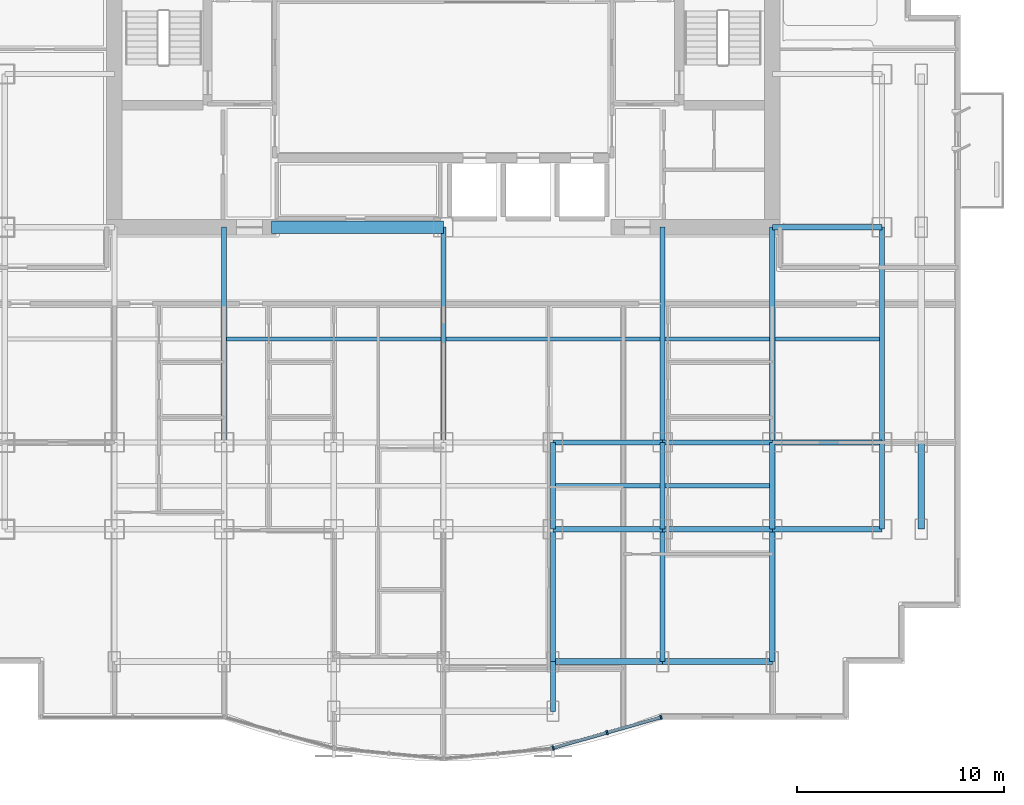
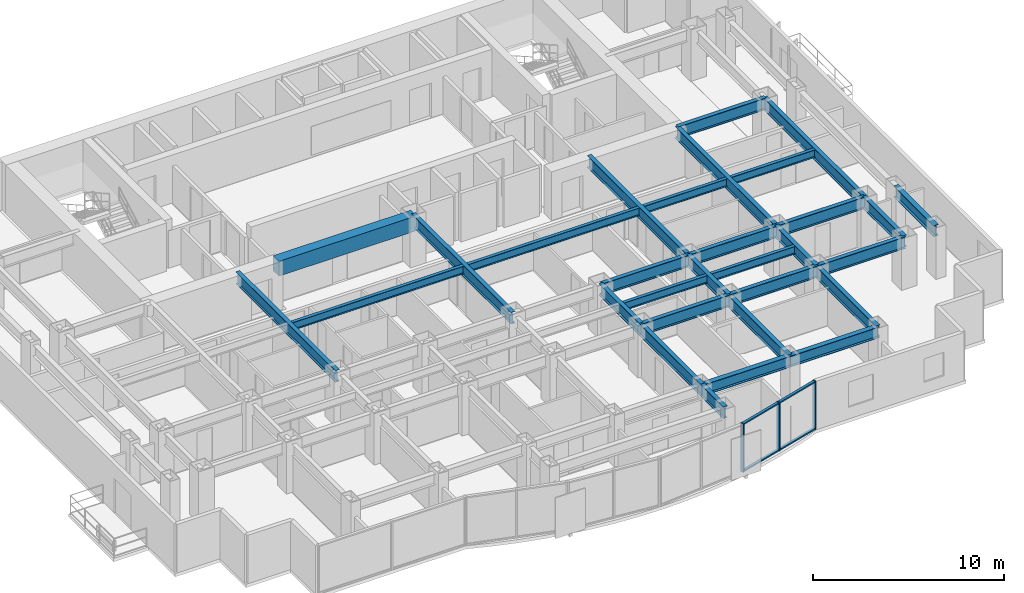
# One storey, part 3 of 10: 30 beams, 7 members, 1 element without a shape of its own.
"""IFC4 building model written with IfcOpenShell, lengths in metres."""

from ifc_helpers import new_model, si_unit, direction, frame, origin, origin_2d, place, context, subcontext, project, spatial, rectangle, i_section, extrude, source, transform, mapped, material, layer, layer_set, material_profile, profile_set, type_object, element, aggregate, save


model = new_model("IFC4")

# Units and contexts
model_context = context("Model", 3, precision=1e-05, world=origin(), true_north=direction((0.0, 1.0)))
body_context = subcontext(model_context, "Body", "Model", "MODEL_VIEW")
ifc_project = project(units=[si_unit("LENGTHUNIT", "METRE"), si_unit("AREAUNIT", "SQUARE_METRE"), si_unit("VOLUMEUNIT", "CUBIC_METRE"), si_unit("PLANEANGLEUNIT", "RADIAN"), si_unit("MASSUNIT", "GRAM", prefix="KILO")], contexts=[model_context])

# Site, building, storey
site_placement = place(None, origin())
site = spatial("IfcSite", under=ifc_project, at=site_placement, CompositionType="ELEMENT")
building_placement = place(site_placement, origin())
building = spatial("IfcBuilding", under=site, at=building_placement, Name="Qianlan Lanfeng Residences", CompositionType="ELEMENT")
storey_placement = place(building_placement, frame((0.0, 0.0, 118.0)))
storey = spatial("IfcBuildingStorey", under=building, at=storey_placement, Name="L32", CompositionType="ELEMENT", Elevation=118.0)

# Beams
ifc_material_1 = material(Name="Steel SN490B", Category="steel")
ifc_material_profile_1 = material_profile(ifc_material_1, i_section(OverallWidth=0.25, OverallDepth=0.75, WebThickness=0.013916015625, FlangeThickness=0.02490234375, at=origin_2d()), Name="H 750x250x14x25")
ifc_profile_set_1 = profile_set([ifc_material_profile_1], Name="Steel SN490B")
beam_type_1 = type_object("IfcBeamType", Name="G-850", PredefinedType="BEAM", material=ifc_profile_set_1)
beam_1_placement = place(storey_placement, frame((31.800048828125, 10.60009765625, 2.715087890625), z_axis=(1.0, 0.0, 0.0), x_axis=(0.0, 1.0, 0.0)))
element("IfcBeam", 1, at=beam_1_placement, inside=storey, type_object=beam_type_1, Name="Structural beam G-850", PredefinedType="BEAM", context=body_context, shape_type="SweptSolid", body=[
    extrude(i_section(OverallWidth=0.25, OverallDepth=0.75, WebThickness=0.013916015625, FlangeThickness=0.02490234375, at=origin_2d()), origin(), (0.0, 0.0, 1.0), 5.300048828125),
])
beam_2_placement = place(storey_placement, frame((37.10009765625, 10.60009765625, 2.715087890625), z_axis=(1.0, 0.0, 0.0), x_axis=(0.0, 1.0, 0.0)))
element("IfcBeam", 2, at=beam_2_placement, inside=storey, type_object=beam_type_1, Name="Structural beam G-850", PredefinedType="BEAM", context=body_context, shape_type="SweptSolid", body=[
    extrude(i_section(OverallWidth=0.25, OverallDepth=0.75, WebThickness=0.013916015625, FlangeThickness=0.02490234375, at=origin_2d()), origin(), (0.0, 0.0, 1.0), 5.2998046875),
])
for number, where, z_axis, x_axis, name in (
    (3, (42.39990234375, 10.60009765625, 2.715087890625), (1.0, 0.0, 0.0), (0.0, 1.0, 0.0), "Structural beam G-850"),
    (4, (31.800048828125, 14.800048828125, 2.715087890625), (1.0, 0.0, 0.0), (0.0, 1.0, 0.0), "Structural beam G-850"),
):
    element("IfcBeam", number, at=place(storey_placement, frame(where, z_axis=z_axis, x_axis=x_axis)), inside=storey, type_object=beam_type_1, Name=name, PredefinedType="BEAM", context=body_context, shape_type="SweptSolid", body=[
        extrude(i_section(OverallWidth=0.25, OverallDepth=0.75, WebThickness=0.013916015625, FlangeThickness=0.02490234375, at=origin_2d()), origin(), (0.0, 0.0, 1.0), 5.300048828125),
    ])
beam_3_placement = place(storey_placement, frame((37.10009765625, 14.800048828125, 2.715087890625), z_axis=(1.0, 0.0, 0.0), x_axis=(0.0, 1.0, 0.0)))
element("IfcBeam", 5, at=beam_3_placement, inside=storey, type_object=beam_type_1, Name="Structural beam G-850", PredefinedType="BEAM", context=body_context, shape_type="SweptSolid", body=[
    extrude(i_section(OverallWidth=0.25, OverallDepth=0.75, WebThickness=0.013916015625, FlangeThickness=0.02490234375, at=origin_2d()), origin(), (0.0, 0.0, 1.0), 5.2998046875),
])
for number, where, z_axis, x_axis, name in (
    (6, (42.39990234375, 14.800048828125, 2.715087890625), (1.0, 0.0, 0.0), (0.0, 1.0, 0.0), "Structural beam G-850"),
    (7, (42.39990234375, 25.199951171875, 2.715087890625), (1.0, 0.0, 0.0), (0.0, 1.0, 0.0), "Structural beam G-850"),
):
    element("IfcBeam", number, at=place(storey_placement, frame(where, z_axis=z_axis, x_axis=x_axis)), inside=storey, type_object=beam_type_1, Name=name, PredefinedType="BEAM", context=body_context, shape_type="SweptSolid", body=[
        extrude(i_section(OverallWidth=0.25, OverallDepth=0.75, WebThickness=0.013916015625, FlangeThickness=0.02490234375, at=origin_2d()), origin(), (0.0, 0.0, 1.0), 5.300048828125),
    ])
for number, where, z_axis, x_axis, name in (
    (8, (15.89990234375, 14.800048828125, 2.715087890625), (0.0, 1.0, 0.0), (-1.0, 0.0, 0.0), "Structural beam G-850"),
    (9, (26.5, 14.800048828125, 2.715087890625), (0.0, 1.0, 0.0), (-1.0, 0.0, 0.0), "Structural beam G-850"),
):
    element("IfcBeam", number, at=place(storey_placement, frame(where, z_axis=z_axis, x_axis=x_axis)), inside=storey, type_object=beam_type_1, Name=name, PredefinedType="BEAM", context=body_context, shape_type="SweptSolid", body=[
        extrude(i_section(OverallWidth=0.25, OverallDepth=0.75, WebThickness=0.013916015625, FlangeThickness=0.02490234375, at=origin_2d()), origin(), (0.0, 0.0, 1.0), 10.39990234375),
    ])
beam_4_placement = place(storey_placement, frame((31.800048828125, 1.800048828125, 2.715087890625), z_axis=(0.0, 1.0, 0.0), x_axis=(-1.0, 0.0, 0.0)))
element("IfcBeam", 10, at=beam_4_placement, inside=storey, type_object=beam_type_1, Name="Structural beam G-850", PredefinedType="BEAM", context=body_context, shape_type="SweptSolid", body=[
    extrude(i_section(OverallWidth=0.25, OverallDepth=0.75, WebThickness=0.013916015625, FlangeThickness=0.02490234375, at=origin_2d()), origin(), (0.0, 0.0, 1.0), 2.39990234375),
])
beam_5_placement = place(storey_placement, frame((31.800048828125, 4.199951171875, 2.715087890625), z_axis=(0.0, 1.0, 0.0), x_axis=(-1.0, 0.0, 0.0)))
element("IfcBeam", 11, at=beam_5_placement, inside=storey, type_object=beam_type_1, Name="Structural beam G-850", PredefinedType="BEAM", context=body_context, shape_type="SweptSolid", body=[
    extrude(i_section(OverallWidth=0.25, OverallDepth=0.75, WebThickness=0.013916015625, FlangeThickness=0.02490234375, at=origin_2d()), origin(), (0.0, 0.0, 1.0), 6.400146484375),
])
beam_6_placement = place(storey_placement, frame((31.800048828125, 10.60009765625, 2.715087890625), z_axis=(0.0, 1.0, 0.0), x_axis=(-1.0, 0.0, 0.0)))
element("IfcBeam", 12, at=beam_6_placement, inside=storey, type_object=beam_type_1, Name="Structural beam G-850", PredefinedType="BEAM", context=body_context, shape_type="SweptSolid", body=[
    extrude(i_section(OverallWidth=0.25, OverallDepth=0.75, WebThickness=0.013916015625, FlangeThickness=0.02490234375, at=origin_2d()), origin(), (0.0, 0.0, 1.0), 4.199951171875),
])
beam_7_placement = place(storey_placement, frame((37.10009765625, 4.199951171875, 2.715087890625), z_axis=(0.0, 1.0, 0.0), x_axis=(-1.0, 0.0, 0.0)))
element("IfcBeam", 13, at=beam_7_placement, inside=storey, type_object=beam_type_1, Name="Structural beam G-850", PredefinedType="BEAM", context=body_context, shape_type="SweptSolid", body=[
    extrude(i_section(OverallWidth=0.25, OverallDepth=0.75, WebThickness=0.013916015625, FlangeThickness=0.02490234375, at=origin_2d()), origin(), (0.0, 0.0, 1.0), 6.400146484375),
])
beam_8_placement = place(storey_placement, frame((37.10009765625, 10.60009765625, 2.715087890625), z_axis=(0.0, 1.0, 0.0), x_axis=(-1.0, 0.0, 0.0)))
element("IfcBeam", 14, at=beam_8_placement, inside=storey, type_object=beam_type_1, Name="Structural beam G-850", PredefinedType="BEAM", context=body_context, shape_type="SweptSolid", body=[
    extrude(i_section(OverallWidth=0.25, OverallDepth=0.75, WebThickness=0.013916015625, FlangeThickness=0.02490234375, at=origin_2d()), origin(), (0.0, 0.0, 1.0), 4.199951171875),
])
beam_9_placement = place(storey_placement, frame((37.10009765625, 14.800048828125, 2.715087890625), z_axis=(0.0, 1.0, 0.0), x_axis=(-1.0, 0.0, 0.0)))
element("IfcBeam", 15, at=beam_9_placement, inside=storey, type_object=beam_type_1, Name="Structural beam G-850", PredefinedType="BEAM", context=body_context, shape_type="SweptSolid", body=[
    extrude(i_section(OverallWidth=0.25, OverallDepth=0.75, WebThickness=0.013916015625, FlangeThickness=0.02490234375, at=origin_2d()), origin(), (0.0, 0.0, 1.0), 10.39990234375),
])
beam_10_placement = place(storey_placement, frame((42.39990234375, 4.199951171875, 2.715087890625), z_axis=(0.0, 1.0, 0.0), x_axis=(-1.0, 0.0, 0.0)))
element("IfcBeam", 16, at=beam_10_placement, inside=storey, type_object=beam_type_1, Name="Structural beam G-850", PredefinedType="BEAM", context=body_context, shape_type="SweptSolid", body=[
    extrude(i_section(OverallWidth=0.25, OverallDepth=0.75, WebThickness=0.013916015625, FlangeThickness=0.02490234375, at=origin_2d()), origin(), (0.0, 0.0, 1.0), 6.400146484375),
])
beam_11_placement = place(storey_placement, frame((42.39990234375, 10.60009765625, 2.715087890625), z_axis=(0.0, 1.0, 0.0), x_axis=(-1.0, 0.0, 0.0)))
element("IfcBeam", 17, at=beam_11_placement, inside=storey, type_object=beam_type_1, Name="Structural beam G-850", PredefinedType="BEAM", context=body_context, shape_type="SweptSolid", body=[
    extrude(i_section(OverallWidth=0.25, OverallDepth=0.75, WebThickness=0.013916015625, FlangeThickness=0.02490234375, at=origin_2d()), origin(), (0.0, 0.0, 1.0), 4.199951171875),
])
beam_12_placement = place(storey_placement, frame((42.39990234375, 14.800048828125, 2.715087890625), z_axis=(0.0, 1.0, 0.0), x_axis=(-1.0, 0.0, 0.0)))
element("IfcBeam", 18, at=beam_12_placement, inside=storey, type_object=beam_type_1, Name="Structural beam G-850", PredefinedType="BEAM", context=body_context, shape_type="SweptSolid", body=[
    extrude(i_section(OverallWidth=0.25, OverallDepth=0.75, WebThickness=0.013916015625, FlangeThickness=0.02490234375, at=origin_2d()), origin(), (0.0, 0.0, 1.0), 10.39990234375),
])
beam_13_placement = place(storey_placement, frame((47.699951171875, 10.60009765625, 2.715087890625), z_axis=(0.0, 1.0, 0.0), x_axis=(-1.0, 0.0, 0.0)))
element("IfcBeam", 19, at=beam_13_placement, inside=storey, type_object=beam_type_1, Name="Structural beam G-850", PredefinedType="BEAM", context=body_context, shape_type="SweptSolid", body=[
    extrude(i_section(OverallWidth=0.25, OverallDepth=0.75, WebThickness=0.013916015625, FlangeThickness=0.02490234375, at=origin_2d()), origin(), (0.0, 0.0, 1.0), 4.199951171875),
])
beam_14_placement = place(storey_placement, frame((47.699951171875, 14.800048828125, 2.715087890625), z_axis=(0.0, 1.0, 0.0), x_axis=(-1.0, 0.0, 0.0)))
element("IfcBeam", 20, at=beam_14_placement, inside=storey, type_object=beam_type_1, Name="Structural beam G-850", PredefinedType="BEAM", context=body_context, shape_type="SweptSolid", body=[
    extrude(i_section(OverallWidth=0.25, OverallDepth=0.75, WebThickness=0.013916015625, FlangeThickness=0.02490234375, at=origin_2d()), origin(), (0.0, 0.0, 1.0), 10.39990234375),
])
ifc_material_profile_2 = material_profile(ifc_material_1, i_section(OverallWidth=0.199951171875, OverallDepth=0.5, WebThickness=0.010009765625, FlangeThickness=0.01611328125, at=origin_2d()), Name="H 500x200x10x16")
ifc_profile_set_2 = profile_set([ifc_material_profile_2], Name="Steel SN490B")
beam_type_2 = type_object("IfcBeamType", Name="J-500", PredefinedType="JOIST", material=ifc_profile_set_2)
beam_15_placement = place(storey_placement, frame((31.925048828125, 12.699951171875, 2.840087890625), z_axis=(1.0, 0.0, 0.0), x_axis=(0.0, 1.0, 0.0)))
element("IfcBeam", 21, at=beam_15_placement, inside=storey, type_object=beam_type_2, Name="Structural beam J-500", PredefinedType="JOIST", context=body_context, shape_type="SweptSolid", body=[
    extrude(i_section(OverallWidth=0.199951171875, OverallDepth=0.5, WebThickness=0.010009765625, FlangeThickness=0.01611328125, at=origin_2d()), origin(), (0.0, 0.0, 1.0), 5.050048828125),
])
beam_16_placement = place(storey_placement, frame((37.22509765625, 12.699951171875, 2.840087890625), z_axis=(1.0, 0.0, 0.0), x_axis=(0.0, 1.0, 0.0)))
element("IfcBeam", 22, at=beam_16_placement, inside=storey, type_object=beam_type_2, Name="Structural beam J-500", PredefinedType="JOIST", context=body_context, shape_type="SweptSolid", body=[
    extrude(i_section(OverallWidth=0.199951171875, OverallDepth=0.5, WebThickness=0.010009765625, FlangeThickness=0.01611328125, at=origin_2d()), origin(), (0.0, 0.0, 1.0), 5.0498046875),
])
for number, where, z_axis, x_axis, name in (
    (23, (16.02490234375, 19.800048828125, 2.840087890625), (1.0, 0.0, 0.0), (0.0, 1.0, 0.0), "Structural beam J-500"),
    (24, (26.625, 19.800048828125, 2.840087890625), (1.0, 0.0, 0.0), (0.0, 1.0, 0.0), "Structural beam J-500"),
):
    element("IfcBeam", number, at=place(storey_placement, frame(where, z_axis=z_axis, x_axis=x_axis)), inside=storey, type_object=beam_type_2, Name=name, PredefinedType="JOIST", context=body_context, shape_type="SweptSolid", body=[
        extrude(i_section(OverallWidth=0.199951171875, OverallDepth=0.5, WebThickness=0.010009765625, FlangeThickness=0.01611328125, at=origin_2d()), origin(), (0.0, 0.0, 1.0), 10.35009765625),
    ])
beam_17_placement = place(storey_placement, frame((37.22509765625, 19.800048828125, 2.840087890625), z_axis=(1.0, 0.0, 0.0), x_axis=(0.0, 1.0, 0.0)))
element("IfcBeam", 25, at=beam_17_placement, inside=storey, type_object=beam_type_2, Name="Structural beam J-500", PredefinedType="JOIST", context=body_context, shape_type="SweptSolid", body=[
    extrude(i_section(OverallWidth=0.199951171875, OverallDepth=0.5, WebThickness=0.010009765625, FlangeThickness=0.01611328125, at=origin_2d()), origin(), (0.0, 0.0, 1.0), 5.0498046875),
])
beam_18_placement = place(storey_placement, frame((42.52490234375, 19.800048828125, 2.840087890625), z_axis=(1.0, 0.0, 0.0), x_axis=(0.0, 1.0, 0.0)))
element("IfcBeam", 26, at=beam_18_placement, inside=storey, type_object=beam_type_2, Name="Structural beam J-500", PredefinedType="JOIST", context=body_context, shape_type="SweptSolid", body=[
    extrude(i_section(OverallWidth=0.199951171875, OverallDepth=0.5, WebThickness=0.010009765625, FlangeThickness=0.01611328125, at=origin_2d()), origin(), (0.0, 0.0, 1.0), 5.050048828125),
])
ifc_material_2 = material(Name="Concrete C60", Category="concrete")
ifc_material_profile_3 = material_profile(ifc_material_2, rectangle(XDim=0.60009765625, YDim=0.949951171875, at=origin_2d()), Name="RC 600x950")
ifc_profile_set_3 = profile_set([ifc_material_profile_3], Name="Concrete C60")
beam_type_3 = type_object("IfcBeamType", Name="LB-RC900", PredefinedType="BEAM", material=ifc_profile_set_3)
beam_19_placement = place(storey_placement, frame((18.199951171875, 25.199951171875, 2.614990234375), z_axis=(1.0, 0.0, 0.0), x_axis=(0.0, 1.0, 0.0)))
element("IfcBeam", 27, at=beam_19_placement, inside=storey, type_object=beam_type_3, Name="L32 Core Coupling Beam W", PredefinedType="BEAM", context=body_context, shape_type="SweptSolid", body=[
    extrude(rectangle(XDim=0.60009765625, YDim=0.949951171875, at=origin_2d()), origin(), (0.0, 0.0, 1.0), 8.300048828125),
])
ifc_material_profile_4 = material_profile(ifc_material_1, i_section(OverallWidth=0.300048828125, OverallDepth=0.699951171875, WebThickness=0.012939453125, FlangeThickness=0.02392578125, at=origin_2d()), Name="H 700x300x13x24")
ifc_profile_set_4 = profile_set([ifc_material_profile_4], Name="Steel SN490B")
beam_type_4 = type_object("IfcBeamType", Name="SG-750", PredefinedType="SPANDREL", material=ifc_profile_set_4)
beam_20_placement = place(storey_placement, frame((31.800048828125, 4.199951171875, 2.739990234375), z_axis=(1.0, 0.0, 0.0), x_axis=(0.0, 1.0, 0.0)))
element("IfcBeam", 28, at=beam_20_placement, inside=storey, type_object=beam_type_4, Name="Structural beam SG-750", PredefinedType="SPANDREL", context=body_context, shape_type="SweptSolid", body=[
    extrude(i_section(OverallWidth=0.300048828125, OverallDepth=0.699951171875, WebThickness=0.012939453125, FlangeThickness=0.02392578125, at=origin_2d()), origin(), (0.0, 0.0, 1.0), 5.300048828125),
])
beam_21_placement = place(storey_placement, frame((37.10009765625, 4.199951171875, 2.739990234375), z_axis=(1.0, 0.0, 0.0), x_axis=(0.0, 1.0, 0.0)))
element("IfcBeam", 29, at=beam_21_placement, inside=storey, type_object=beam_type_4, Name="Structural beam SG-750", PredefinedType="SPANDREL", context=body_context, shape_type="SweptSolid", body=[
    extrude(i_section(OverallWidth=0.300048828125, OverallDepth=0.699951171875, WebThickness=0.012939453125, FlangeThickness=0.02392578125, at=origin_2d()), origin(), (0.0, 0.0, 1.0), 5.2998046875),
])
beam_22_placement = place(storey_placement, frame((49.60009765625, 10.60009765625, 2.739990234375), z_axis=(0.0, 1.0, 0.0), x_axis=(-1.0, 0.0, 0.0)))
element("IfcBeam", 30, at=beam_22_placement, inside=storey, type_object=beam_type_4, Name="Structural beam SG-750", PredefinedType="SPANDREL", context=body_context, shape_type="SweptSolid", body=[
    extrude(i_section(OverallWidth=0.300048828125, OverallDepth=0.699951171875, WebThickness=0.012939453125, FlangeThickness=0.02392578125, at=origin_2d()), origin(), (0.0, 0.0, 1.0), 4.199951171875),
])

# Curtain wall, members
ifc_material_3 = material(Name="Anodised Bronze Aluminium 6063-T6", Category="aluminium")
ifc_layer = layer(ifc_material_3, 0.219970703125)
ifc_layer_set = layer_set([ifc_layer], Name="Anodised Bronze Aluminium 6063-T6")
curtain_wall_type = type_object("IfcCurtainWallType", Name="CW-03", PredefinedType="NOTDEFINED", material=ifc_layer_set)
curtain_wall_placement = place(storey_placement, origin())
curtain_wall = element("IfcCurtainWall", 31, at=curtain_wall_placement, inside=storey, type_object=curtain_wall_type, Name="L32 Unitised Curtain Wall CWR-L32-05 (CW-03)", PredefinedType="NOTDEFINED")
ifc_material_profile_5 = material_profile(ifc_material_3, rectangle(XDim=0.080078125, YDim=0.159912109375, at=origin_2d()), Name="ALU TRANSOM 80x160")
ifc_profile_set_5 = profile_set([ifc_material_profile_5], Name="Anodised Bronze Aluminium 6063-T6")
member_type_1 = type_object("IfcMemberType", Name="CWT-180", PredefinedType="USERDEFINED", material=ifc_profile_set_5)
shared_shape_1 = source(origin(), body_context, "Body", "SweptSolid", [
    extrude(rectangle(XDim=0.080078125, YDim=0.159912109375, at=origin_2d()), origin(), (0.0, 0.0, 1.0), 2.630126953125),
])
member_1_placement = place(storey_placement, frame((31.844970703125, 0.039794921875, 0.0400390625), z_axis=(0.961984978242, 0.273102364758, 0.0), x_axis=(0.0, 0.0, 1.0)))
member_1 = element("IfcMember", 32, at=member_1_placement, type_object=member_type_1, Name="CWR-L32-05 Transom 1-BOT", ObjectType="TRANSOM", PredefinedType="USERDEFINED", context=body_context, shape_type="MappedRepresentation", body=[
    mapped(shared_shape_1, transform((0.0, 0.0, 0.0), scale=1.0)),
])
member_2_placement = place(storey_placement, frame((31.844970703125, 0.039794921875, 3.050048828125), z_axis=(0.961984978242, 0.273102364758, 0.0), x_axis=(0.0, 0.0, 1.0)))
member_2 = element("IfcMember", 33, at=member_2_placement, type_object=member_type_1, Name="CWR-L32-05 Transom 1-TOP", ObjectType="TRANSOM", PredefinedType="USERDEFINED", context=body_context, shape_type="MappedRepresentation", body=[
    mapped(shared_shape_1, transform((0.0, 0.0, 0.0), scale=1.0)),
])
shared_shape_2 = source(origin(), body_context, "Body", "SweptSolid", [
    extrude(rectangle(XDim=0.080078125, YDim=0.159912109375, at=origin_2d()), origin(), (0.0, 0.0, 1.0), 2.63037109375),
])
member_3_placement = place(storey_placement, frame((34.451904296875, 0.77978515625, 0.0400390625), z_axis=(0.961967513886, 0.273163874312, 0.0), x_axis=(0.0, 0.0, 1.0)))
member_3 = element("IfcMember", 34, at=member_3_placement, type_object=member_type_1, Name="CWR-L32-05 Transom 2-BOT", ObjectType="TRANSOM", PredefinedType="USERDEFINED", context=body_context, shape_type="MappedRepresentation", body=[
    mapped(shared_shape_2, transform((0.0, 0.0, 0.0), scale=1.0)),
])
member_4_placement = place(storey_placement, frame((34.451904296875, 0.77978515625, 3.050048828125), z_axis=(0.961967513886, 0.273163874312, 0.0), x_axis=(0.0, 0.0, 1.0)))
member_4 = element("IfcMember", 35, at=member_4_placement, type_object=member_type_1, Name="CWR-L32-05 Transom 2-TOP", ObjectType="TRANSOM", PredefinedType="USERDEFINED", context=body_context, shape_type="MappedRepresentation", body=[
    mapped(shared_shape_2, transform((0.0, 0.0, 0.0), scale=1.0)),
])
ifc_material_profile_6 = material_profile(ifc_material_3, rectangle(XDim=0.080078125, YDim=0.2099609375, at=origin_2d()), Name="ALU MULLION 80x210")
ifc_profile_set_6 = profile_set([ifc_material_profile_6], Name="Anodised Bronze Aluminium 6063-T6")
member_type_2 = type_object("IfcMemberType", Name="CWM-220", PredefinedType="MULLION", material=ifc_profile_set_6)
shared_shape_3 = source(origin(), body_context, "Body", "SweptSolid", [
    extrude(rectangle(XDim=0.080078125, YDim=0.2099609375, at=origin_2d()), origin(), (0.0, 0.0, 1.0), 3.090087890625),
])
member_5_placement = place(storey_placement, frame((31.806396484375, 0.02880859375, 0.0), z_axis=(0.0, 0.0, 1.0), x_axis=(0.961989074302, 0.273087936247, 0.0)))
member_5 = element("IfcMember", 36, at=member_5_placement, type_object=member_type_2, Name="CWR-L32-05 Mullion 1", PredefinedType="MULLION", context=body_context, shape_type="MappedRepresentation", body=[
    mapped(shared_shape_3, transform((0.0, 0.0, 0.0), scale=1.0)),
])
member_6_placement = place(storey_placement, frame((34.41357421875, 0.76904296875, 0.0), z_axis=(0.0, 0.0, 1.0), x_axis=(0.961989074302, 0.273087936247, 0.0)))
member_6 = element("IfcMember", 37, at=member_6_placement, type_object=member_type_2, Name="CWR-L32-05 Mullion 2", PredefinedType="MULLION", context=body_context, shape_type="MappedRepresentation", body=[
    mapped(shared_shape_3, transform((0.0, 0.0, 0.0), scale=1.0)),
])
member_7_placement = place(storey_placement, frame((37.0205078125, 1.509033203125, 0.0), z_axis=(0.0, 0.0, 1.0), x_axis=(0.961989074302, 0.273087936247, 0.0)))
member_7 = element("IfcMember", 38, at=member_7_placement, type_object=member_type_2, Name="CWR-L32-05 Mullion 3", PredefinedType="MULLION", context=body_context, shape_type="MappedRepresentation", body=[
    mapped(shared_shape_3, transform((0.0, 0.0, 0.0), scale=1.0)),
])
aggregate(curtain_wall, [member_5, member_6, member_7, member_1, member_2, member_3, member_4])

save(model, "model.ifc")
